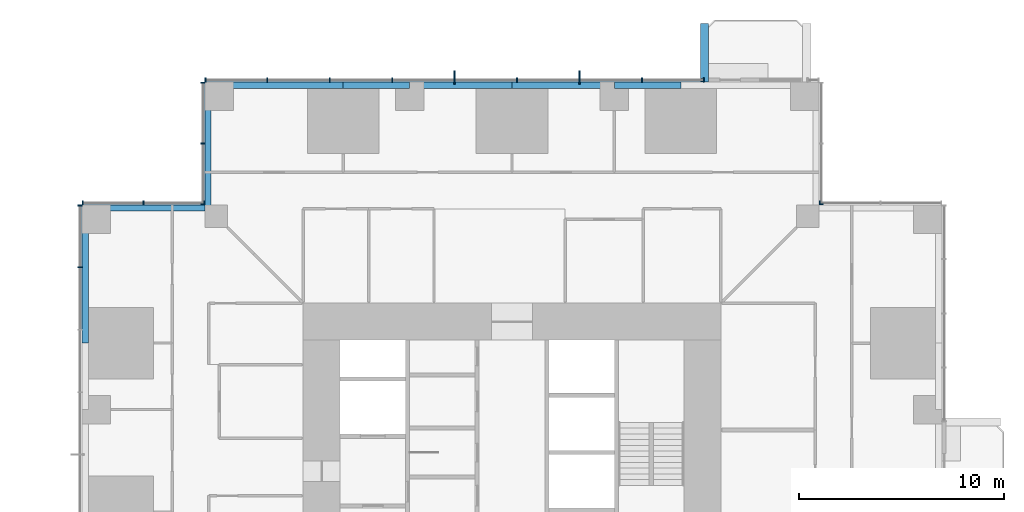
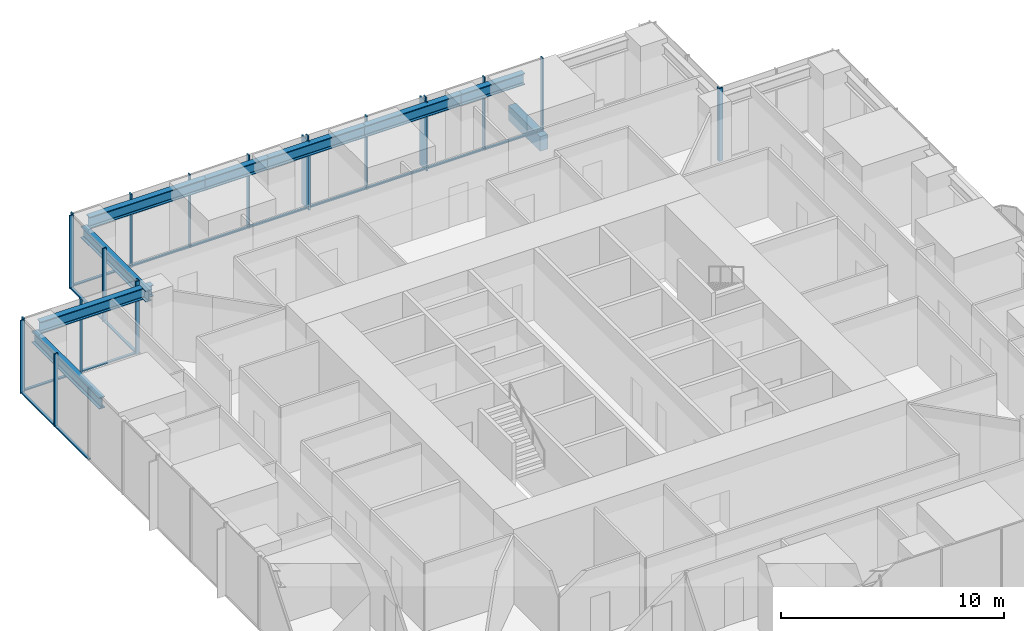
# One storey, part 5 of 18: 35 members, 9 beams, 6 elements without a shape of their own.
"""IFC4 building model written with IfcOpenShell, lengths in metres."""

from ifc_helpers import new_model, si_unit, direction, frame, origin, origin_2d, place, context, subcontext, project, spatial, rectangle, i_section, extrude, material, material_profile, profile_set, type_object, element, aggregate, save


model = new_model("IFC4")

# Units and contexts
model_context = context("Model", 3, precision=1e-05, world=origin(), true_north=direction((0.0, 1.0)))
body_context = subcontext(model_context, "Body", "Model", "MODEL_VIEW")
ifc_project = project(units=[si_unit("LENGTHUNIT", "METRE"), si_unit("AREAUNIT", "SQUARE_METRE"), si_unit("VOLUMEUNIT", "CUBIC_METRE"), si_unit("PLANEANGLEUNIT", "RADIAN"), si_unit("MASSUNIT", "GRAM", prefix="KILO")], contexts=[model_context])

# Site, building, storey
site_placement = place(None, origin())
site = spatial("IfcSite", under=ifc_project, at=site_placement, CompositionType="ELEMENT")
building_placement = place(site_placement, origin())
building = spatial("IfcBuilding", under=site, at=building_placement, Name="Svetlomir Tower", CompositionType="ELEMENT")
storey_placement = place(building_placement, frame((0.0, 0.0, 78.5)))
storey = spatial("IfcBuildingStorey", under=building, at=storey_placement, Name="L18", CompositionType="ELEMENT", Elevation=78.5)

# Beam
ifc_material_1 = material(Name="Concrete C60/75", Category="concrete")
ifc_material_profile_1 = material_profile(ifc_material_1, rectangle(XDim=0.39990234375, YDim=0.800048828125, at=origin_2d()), Name="RC 400x800")
ifc_profile_set_1 = profile_set([ifc_material_profile_1], Name="Concrete C60/75")
beam_type_1 = type_object("IfcBeamType", Name="BALCONY RIB RC 400x800", PredefinedType="BEAM", material=ifc_profile_set_1)
beam_1_placement = place(storey_placement, frame((30.39990234375, 42.0, -0.64990234375), z_axis=(0.0, 1.0, 0.0), x_axis=(-1.0, 0.0, 0.0)))
element("IfcBeam", 1, at=beam_1_placement, inside=storey, type_object=beam_type_1, Name="Balcony rib N 1 L18", PredefinedType="BEAM", context=body_context, shape_type="SweptSolid", body=[
    extrude(rectangle(XDim=0.39990234375, YDim=0.800048828125, at=origin_2d()), origin(), (0.0, 0.0, 1.0), 2.85009765625),
])

# Curtain wall, members
ifc_material_2 = material(Name="Bronze anodised aluminium curtain wall", Category="aluminium")
curtain_wall_type = type_object("IfcCurtainWallType", Name="CURTAIN WALL CW1 TOWER OFFICE", PredefinedType="NOTDEFINED", material=ifc_material_2)
curtain_wall_1_placement = place(storey_placement, origin())
curtain_wall_1 = element("IfcCurtainWall", 2, at=curtain_wall_1_placement, inside=storey, type_object=curtain_wall_type, Name="Curtain wall CW1 L18", PredefinedType="NOTDEFINED")
ifc_material_3 = material(Name="Bronze anodised aluminium", Category="aluminium")
ifc_material_profile_2 = material_profile(ifc_material_3, rectangle(XDim=0.080078125, YDim=0.64990234375, at=origin_2d()), Name="FIN 80x650")
ifc_profile_set_2 = profile_set([ifc_material_profile_2], Name="Bronze anodised aluminium 6063-T6")
member_type_1 = type_object("IfcMemberType", Name="BRONZE FIN 80x650", PredefinedType="USERDEFINED", material=ifc_profile_set_2)
member_1_placement = place(storey_placement, frame((24.300048828125, 42.22509765625, 0.0), z_axis=(0.0, 0.0, 1.0), x_axis=(1.0, 0.0, 0.0)))
member_1 = element("IfcMember", 3, at=member_1_placement, type_object=member_type_1, Name="Bronze fin L18", ObjectType="FIN", PredefinedType="USERDEFINED", context=body_context, shape_type="SweptSolid", body=[
    extrude(rectangle(XDim=0.080078125, YDim=0.64990234375, at=origin_2d()), origin(), (0.0, 0.0, 1.0), 3.75),
])
member_2_placement = place(storey_placement, frame((18.199951171875, 42.22509765625, 0.0), z_axis=(0.0, 0.0, 1.0), x_axis=(1.0, 0.0, 0.0)))
member_2 = element("IfcMember", 4, at=member_2_placement, type_object=member_type_1, Name="Bronze fin L18", ObjectType="FIN", PredefinedType="USERDEFINED", context=body_context, shape_type="SweptSolid", body=[
    extrude(rectangle(XDim=0.080078125, YDim=0.64990234375, at=origin_2d()), origin(), (0.0, 0.0, 1.0), 3.75),
])

# Curtain wall, member
curtain_wall_2_placement = place(storey_placement, origin())
curtain_wall_2 = element("IfcCurtainWall", 5, at=curtain_wall_2_placement, inside=storey, type_object=curtain_wall_type, Name="Curtain wall CW1 L18", PredefinedType="NOTDEFINED")
ifc_material_4 = material(Name="Bronze anodised aluminium", Category="aluminium")
ifc_material_profile_3 = material_profile(ifc_material_4, rectangle(XDim=0.06494140625, YDim=0.199951171875, at=origin_2d()), Name="AL 65x200")
ifc_profile_set_3 = profile_set([ifc_material_profile_3], Name="Bronze anodised aluminium 6063-T6")
member_type_2 = type_object("IfcMemberType", Name="CW1 MULLION 65x200", PredefinedType="MULLION", material=ifc_profile_set_3)
member_3_placement = place(storey_placement, frame((36.032470703125, 36.10009765625, 0.0), z_axis=(0.0, 0.0, 1.0), x_axis=(-1.0, 0.0, 0.0)))
member_3 = element("IfcMember", 6, at=member_3_placement, type_object=member_type_2, Name="CW1 mullion 3", PredefinedType="MULLION", context=body_context, shape_type="SweptSolid", body=[
    extrude(rectangle(XDim=0.06494140625, YDim=0.199951171875, at=origin_2d()), origin(), (0.0, 0.0, 1.0), 4.0),
])
aggregate(curtain_wall_2, [member_3])

curtain_wall_3_placement = place(storey_placement, origin())
curtain_wall_3 = element("IfcCurtainWall", 7, at=curtain_wall_3_placement, inside=storey, type_object=curtain_wall_type, Name="Curtain wall CW1 L18", PredefinedType="NOTDEFINED")
member_4_placement = place(storey_placement, frame((36.10009765625, 36.032470703125, 0.0), z_axis=(0.0, 0.0, 1.0), x_axis=(0.0, 1.0, 0.0)))
member_4 = element("IfcMember", 8, at=member_4_placement, type_object=member_type_2, Name="CW1 mullion 1", PredefinedType="MULLION", context=body_context, shape_type="SweptSolid", body=[
    extrude(rectangle(XDim=0.06494140625, YDim=0.199951171875, at=origin_2d()), origin(), (0.0, 0.0, 1.0), 4.0),
])
aggregate(curtain_wall_3, [member_4])

# Member
member_5_placement = place(storey_placement, frame((30.367431640625, 42.10009765625, 0.0), z_axis=(0.0, 0.0, 1.0), x_axis=(-1.0, 0.0, 0.0)))
member_5 = element("IfcMember", 9, at=member_5_placement, type_object=member_type_2, Name="CW1 mullion 1", PredefinedType="MULLION", context=body_context, shape_type="SweptSolid", body=[
    extrude(rectangle(XDim=0.06494140625, YDim=0.199951171875, at=origin_2d()), origin(), (0.0, 0.0, 1.0), 4.0),
])

member_6_placement = place(storey_placement, frame((27.35009765625, 42.10009765625, 0.0), z_axis=(0.0, 0.0, 1.0), x_axis=(-1.0, 0.0, 0.0)))
member_6 = element("IfcMember", 10, at=member_6_placement, type_object=member_type_2, Name="CW1 mullion 2", PredefinedType="MULLION", context=body_context, shape_type="SweptSolid", body=[
    extrude(rectangle(XDim=0.06494140625, YDim=0.199951171875, at=origin_2d()), origin(), (0.0, 0.0, 1.0), 4.0),
])

member_7_placement = place(storey_placement, frame((24.300048828125, 42.10009765625, 0.0), z_axis=(0.0, 0.0, 1.0), x_axis=(-1.0, 0.0, 0.0)))
member_7 = element("IfcMember", 11, at=member_7_placement, type_object=member_type_2, Name="CW1 mullion 3", PredefinedType="MULLION", context=body_context, shape_type="SweptSolid", body=[
    extrude(rectangle(XDim=0.06494140625, YDim=0.199951171875, at=origin_2d()), origin(), (0.0, 0.0, 1.0), 4.0),
])

member_8_placement = place(storey_placement, frame((21.25, 42.10009765625, 0.0), z_axis=(0.0, 0.0, 1.0), x_axis=(-1.0, 0.0, 0.0)))
member_8 = element("IfcMember", 12, at=member_8_placement, type_object=member_type_2, Name="CW1 mullion 4", PredefinedType="MULLION", context=body_context, shape_type="SweptSolid", body=[
    extrude(rectangle(XDim=0.06494140625, YDim=0.199951171875, at=origin_2d()), origin(), (0.0, 0.0, 1.0), 4.0),
])

member_9_placement = place(storey_placement, frame((18.199951171875, 42.10009765625, 0.0), z_axis=(0.0, 0.0, 1.0), x_axis=(-1.0, 0.0, 0.0)))
member_9 = element("IfcMember", 13, at=member_9_placement, type_object=member_type_2, Name="CW1 mullion 5", PredefinedType="MULLION", context=body_context, shape_type="SweptSolid", body=[
    extrude(rectangle(XDim=0.06494140625, YDim=0.199951171875, at=origin_2d()), origin(), (0.0, 0.0, 1.0), 4.0),
])

member_10_placement = place(storey_placement, frame((15.14990234375, 42.10009765625, 0.0), z_axis=(0.0, 0.0, 1.0), x_axis=(-1.0, 0.0, 0.0)))
member_10 = element("IfcMember", 14, at=member_10_placement, type_object=member_type_2, Name="CW1 mullion 6", PredefinedType="MULLION", context=body_context, shape_type="SweptSolid", body=[
    extrude(rectangle(XDim=0.06494140625, YDim=0.199951171875, at=origin_2d()), origin(), (0.0, 0.0, 1.0), 4.0),
])

member_11_placement = place(storey_placement, frame((12.10009765625, 42.10009765625, 0.0), z_axis=(0.0, 0.0, 1.0), x_axis=(-1.0, 0.0, 0.0)))
member_11 = element("IfcMember", 15, at=member_11_placement, type_object=member_type_2, Name="CW1 mullion 7", PredefinedType="MULLION", context=body_context, shape_type="SweptSolid", body=[
    extrude(rectangle(XDim=0.06494140625, YDim=0.199951171875, at=origin_2d()), origin(), (0.0, 0.0, 1.0), 4.0),
])

member_12_placement = place(storey_placement, frame((9.050048828125, 42.10009765625, 0.0), z_axis=(0.0, 0.0, 1.0), x_axis=(-1.0, 0.0, 0.0)))
member_12 = element("IfcMember", 16, at=member_12_placement, type_object=member_type_2, Name="CW1 mullion 8", PredefinedType="MULLION", context=body_context, shape_type="SweptSolid", body=[
    extrude(rectangle(XDim=0.06494140625, YDim=0.199951171875, at=origin_2d()), origin(), (0.0, 0.0, 1.0), 4.0),
])

member_13_placement = place(storey_placement, frame((6.032470703125, 42.10009765625, 0.0), z_axis=(0.0, 0.0, 1.0), x_axis=(-1.0, 0.0, 0.0)))
member_13 = element("IfcMember", 17, at=member_13_placement, type_object=member_type_2, Name="CW1 mullion 9", PredefinedType="MULLION", context=body_context, shape_type="SweptSolid", body=[
    extrude(rectangle(XDim=0.06494140625, YDim=0.199951171875, at=origin_2d()), origin(), (0.0, 0.0, 1.0), 4.0),
])

# Curtain wall, members
curtain_wall_4_placement = place(storey_placement, origin())
curtain_wall_4 = element("IfcCurtainWall", 18, at=curtain_wall_4_placement, inside=storey, type_object=curtain_wall_type, Name="Curtain wall CW1 L18", PredefinedType="NOTDEFINED")
member_14_placement = place(storey_placement, frame((5.89990234375, 41.967529296875, 0.0), z_axis=(0.0, 0.0, 1.0), x_axis=(0.0, -1.0, 0.0)))
member_14 = element("IfcMember", 19, at=member_14_placement, type_object=member_type_2, Name="CW1 mullion 1", PredefinedType="MULLION", context=body_context, shape_type="SweptSolid", body=[
    extrude(rectangle(XDim=0.06494140625, YDim=0.199951171875, at=origin_2d()), origin(), (0.0, 0.0, 1.0), 4.0),
])
member_15_placement = place(storey_placement, frame((5.89990234375, 39.0, 0.0), z_axis=(0.0, 0.0, 1.0), x_axis=(0.0, -1.0, 0.0)))
member_15 = element("IfcMember", 20, at=member_15_placement, type_object=member_type_2, Name="CW1 mullion 2", PredefinedType="MULLION", context=body_context, shape_type="SweptSolid", body=[
    extrude(rectangle(XDim=0.06494140625, YDim=0.199951171875, at=origin_2d()), origin(), (0.0, 0.0, 1.0), 4.0),
])
member_16_placement = place(storey_placement, frame((5.89990234375, 36.032470703125, 0.0), z_axis=(0.0, 0.0, 1.0), x_axis=(0.0, -1.0, 0.0)))
member_16 = element("IfcMember", 21, at=member_16_placement, type_object=member_type_2, Name="CW1 mullion 3", PredefinedType="MULLION", context=body_context, shape_type="SweptSolid", body=[
    extrude(rectangle(XDim=0.06494140625, YDim=0.199951171875, at=origin_2d()), origin(), (0.0, 0.0, 1.0), 4.0),
])

curtain_wall_5_placement = place(storey_placement, origin())
curtain_wall_5 = element("IfcCurtainWall", 22, at=curtain_wall_5_placement, inside=storey, type_object=curtain_wall_type, Name="Curtain wall CW1 L18", PredefinedType="NOTDEFINED")
member_17_placement = place(storey_placement, frame((5.967529296875, 36.10009765625, 0.0), z_axis=(0.0, 0.0, 1.0), x_axis=(-1.0, 0.0, 0.0)))
member_17 = element("IfcMember", 23, at=member_17_placement, type_object=member_type_2, Name="CW1 mullion 1", PredefinedType="MULLION", context=body_context, shape_type="SweptSolid", body=[
    extrude(rectangle(XDim=0.06494140625, YDim=0.199951171875, at=origin_2d()), origin(), (0.0, 0.0, 1.0), 4.0),
])
member_18_placement = place(storey_placement, frame((3.0, 36.10009765625, 0.0), z_axis=(0.0, 0.0, 1.0), x_axis=(-1.0, 0.0, 0.0)))
member_18 = element("IfcMember", 24, at=member_18_placement, type_object=member_type_2, Name="CW1 mullion 2", PredefinedType="MULLION", context=body_context, shape_type="SweptSolid", body=[
    extrude(rectangle(XDim=0.06494140625, YDim=0.199951171875, at=origin_2d()), origin(), (0.0, 0.0, 1.0), 4.0),
])
member_19_placement = place(storey_placement, frame((0.032470703125, 36.10009765625, 0.0), z_axis=(0.0, 0.0, 1.0), x_axis=(-1.0, 0.0, 0.0)))
member_19 = element("IfcMember", 25, at=member_19_placement, type_object=member_type_2, Name="CW1 mullion 3", PredefinedType="MULLION", context=body_context, shape_type="SweptSolid", body=[
    extrude(rectangle(XDim=0.06494140625, YDim=0.199951171875, at=origin_2d()), origin(), (0.0, 0.0, 1.0), 4.0),
])

curtain_wall_6_placement = place(storey_placement, origin())
curtain_wall_6 = element("IfcCurtainWall", 26, at=curtain_wall_6_placement, inside=storey, type_object=curtain_wall_type, Name="Curtain wall CW1 L18", PredefinedType="NOTDEFINED")
member_20_placement = place(storey_placement, frame((-0.10009765625, 35.967529296875, 0.0), z_axis=(0.0, 0.0, 1.0), x_axis=(0.0, -1.0, 0.0)))
member_20 = element("IfcMember", 27, at=member_20_placement, type_object=member_type_2, Name="CW1 mullion 1", PredefinedType="MULLION", context=body_context, shape_type="SweptSolid", body=[
    extrude(rectangle(XDim=0.06494140625, YDim=0.199951171875, at=origin_2d()), origin(), (0.0, 0.0, 1.0), 4.0),
])
member_21_placement = place(storey_placement, frame((-0.10009765625, 32.949951171875, 0.0), z_axis=(0.0, 0.0, 1.0), x_axis=(0.0, -1.0, 0.0)))
member_21 = element("IfcMember", 28, at=member_21_placement, type_object=member_type_2, Name="CW1 mullion 2", PredefinedType="MULLION", context=body_context, shape_type="SweptSolid", body=[
    extrude(rectangle(XDim=0.06494140625, YDim=0.199951171875, at=origin_2d()), origin(), (0.0, 0.0, 1.0), 4.0),
])

# Member
ifc_material_5 = material(Name="Bronze anodised aluminium", Category="aluminium")
ifc_material_profile_4 = material_profile(ifc_material_5, rectangle(XDim=0.139892578125, YDim=0.06494140625, at=origin_2d()), Name="AL 140x65")
ifc_profile_set_4 = profile_set([ifc_material_profile_4], Name="Bronze anodised aluminium 6063-T6")
member_type_3 = type_object("IfcMemberType", Name="CW1 TRANSOM 65x140", PredefinedType="USERDEFINED", material=ifc_profile_set_4)
member_22_placement = place(storey_placement, frame((30.3349609375, 42.10009765625, 0.032470703125), z_axis=(-1.0, 0.0, 0.0), x_axis=(0.0, -1.0, 0.0)))
member_22 = element("IfcMember", 29, at=member_22_placement, type_object=member_type_3, Name="CW1 transom 1.1", ObjectType="TRANSOM", PredefinedType="USERDEFINED", context=body_context, shape_type="SweptSolid", body=[
    extrude(rectangle(XDim=0.139892578125, YDim=0.06494140625, at=origin_2d()), origin(), (0.0, 0.0, 1.0), 2.952392578125),
])

member_23_placement = place(storey_placement, frame((27.3173828125, 42.10009765625, 0.032470703125), z_axis=(-1.0, 0.0, 0.0), x_axis=(0.0, -1.0, 0.0)))
member_23 = element("IfcMember", 30, at=member_23_placement, type_object=member_type_3, Name="CW1 transom 2.1", ObjectType="TRANSOM", PredefinedType="USERDEFINED", context=body_context, shape_type="SweptSolid", body=[
    extrude(rectangle(XDim=0.139892578125, YDim=0.06494140625, at=origin_2d()), origin(), (0.0, 0.0, 1.0), 2.98486328125),
])

member_24_placement = place(storey_placement, frame((24.267578125, 42.10009765625, 0.032470703125), z_axis=(-1.0, 0.0, 0.0), x_axis=(0.0, -1.0, 0.0)))
member_24 = element("IfcMember", 31, at=member_24_placement, type_object=member_type_3, Name="CW1 transom 3.1", ObjectType="TRANSOM", PredefinedType="USERDEFINED", context=body_context, shape_type="SweptSolid", body=[
    extrude(rectangle(XDim=0.139892578125, YDim=0.06494140625, at=origin_2d()), origin(), (0.0, 0.0, 1.0), 2.985107421875),
])

member_25_placement = place(storey_placement, frame((21.217529296875, 42.10009765625, 0.032470703125), z_axis=(-1.0, 0.0, 0.0), x_axis=(0.0, -1.0, 0.0)))
member_25 = element("IfcMember", 32, at=member_25_placement, type_object=member_type_3, Name="CW1 transom 4.1", ObjectType="TRANSOM", PredefinedType="USERDEFINED", context=body_context, shape_type="SweptSolid", body=[
    extrude(rectangle(XDim=0.139892578125, YDim=0.06494140625, at=origin_2d()), origin(), (0.0, 0.0, 1.0), 2.985107421875),
])

member_26_placement = place(storey_placement, frame((18.16748046875, 42.10009765625, 0.032470703125), z_axis=(-1.0, 0.0, 0.0), x_axis=(0.0, -1.0, 0.0)))
member_26 = element("IfcMember", 33, at=member_26_placement, type_object=member_type_3, Name="CW1 transom 5.1", ObjectType="TRANSOM", PredefinedType="USERDEFINED", context=body_context, shape_type="SweptSolid", body=[
    extrude(rectangle(XDim=0.139892578125, YDim=0.06494140625, at=origin_2d()), origin(), (0.0, 0.0, 1.0), 2.98486328125),
])

member_27_placement = place(storey_placement, frame((15.117431640625, 42.10009765625, 0.032470703125), z_axis=(-1.0, 0.0, 0.0), x_axis=(0.0, -1.0, 0.0)))
member_27 = element("IfcMember", 34, at=member_27_placement, type_object=member_type_3, Name="CW1 transom 6.1", ObjectType="TRANSOM", PredefinedType="USERDEFINED", context=body_context, shape_type="SweptSolid", body=[
    extrude(rectangle(XDim=0.139892578125, YDim=0.06494140625, at=origin_2d()), origin(), (0.0, 0.0, 1.0), 2.98486328125),
])

member_28_placement = place(storey_placement, frame((12.0673828125, 42.10009765625, 0.032470703125), z_axis=(-1.0, 0.0, 0.0), x_axis=(0.0, -1.0, 0.0)))
member_28 = element("IfcMember", 35, at=member_28_placement, type_object=member_type_3, Name="CW1 transom 7.1", ObjectType="TRANSOM", PredefinedType="USERDEFINED", context=body_context, shape_type="SweptSolid", body=[
    extrude(rectangle(XDim=0.139892578125, YDim=0.06494140625, at=origin_2d()), origin(), (0.0, 0.0, 1.0), 2.98486328125),
])

member_29_placement = place(storey_placement, frame((9.017578125, 42.10009765625, 0.032470703125), z_axis=(-1.0, 0.0, 0.0), x_axis=(0.0, -1.0, 0.0)))
member_29 = element("IfcMember", 36, at=member_29_placement, type_object=member_type_3, Name="CW1 transom 8.1", ObjectType="TRANSOM", PredefinedType="USERDEFINED", context=body_context, shape_type="SweptSolid", body=[
    extrude(rectangle(XDim=0.139892578125, YDim=0.06494140625, at=origin_2d()), origin(), (0.0, 0.0, 1.0), 2.95263671875),
])

aggregate(curtain_wall_1, [member_5, member_6, member_7, member_8, member_9, member_10, member_11, member_12, member_13, member_22, member_23, member_24, member_25, member_26, member_27, member_28, member_29, member_1, member_2])

member_30_placement = place(storey_placement, frame((5.89990234375, 41.93505859375, 0.032470703125), z_axis=(0.0, -1.0, 0.0), x_axis=(1.0, 0.0, 0.0)))
member_30 = element("IfcMember", 37, at=member_30_placement, type_object=member_type_3, Name="CW1 transom 1.1", ObjectType="TRANSOM", PredefinedType="USERDEFINED", context=body_context, shape_type="SweptSolid", body=[
    extrude(rectangle(XDim=0.139892578125, YDim=0.06494140625, at=origin_2d()), origin(), (0.0, 0.0, 1.0), 2.902587890625),
])

member_31_placement = place(storey_placement, frame((5.89990234375, 38.967529296875, 0.032470703125), z_axis=(0.0, -1.0, 0.0), x_axis=(1.0, 0.0, 0.0)))
member_31 = element("IfcMember", 38, at=member_31_placement, type_object=member_type_3, Name="CW1 transom 2.1", ObjectType="TRANSOM", PredefinedType="USERDEFINED", context=body_context, shape_type="SweptSolid", body=[
    extrude(rectangle(XDim=0.139892578125, YDim=0.06494140625, at=origin_2d()), origin(), (0.0, 0.0, 1.0), 2.902587890625),
])

aggregate(curtain_wall_4, [member_14, member_15, member_16, member_30, member_31])

member_32_placement = place(storey_placement, frame((5.93505859375, 36.10009765625, 0.032470703125), z_axis=(-1.0, 0.0, 0.0), x_axis=(0.0, -1.0, 0.0)))
member_32 = element("IfcMember", 39, at=member_32_placement, type_object=member_type_3, Name="CW1 transom 1.1", ObjectType="TRANSOM", PredefinedType="USERDEFINED", context=body_context, shape_type="SweptSolid", body=[
    extrude(rectangle(XDim=0.139892578125, YDim=0.06494140625, at=origin_2d()), origin(), (0.0, 0.0, 1.0), 2.902587890625),
])

member_33_placement = place(storey_placement, frame((2.967529296875, 36.10009765625, 0.032470703125), z_axis=(-1.0, 0.0, 0.0), x_axis=(0.0, -1.0, 0.0)))
member_33 = element("IfcMember", 40, at=member_33_placement, type_object=member_type_3, Name="CW1 transom 2.1", ObjectType="TRANSOM", PredefinedType="USERDEFINED", context=body_context, shape_type="SweptSolid", body=[
    extrude(rectangle(XDim=0.139892578125, YDim=0.06494140625, at=origin_2d()), origin(), (0.0, 0.0, 1.0), 2.902587890625),
])

aggregate(curtain_wall_5, [member_17, member_18, member_19, member_32, member_33])

member_34_placement = place(storey_placement, frame((-0.10009765625, 35.93505859375, 0.032470703125), z_axis=(0.0, -1.0, 0.0), x_axis=(1.0, 0.0, 0.0)))
member_34 = element("IfcMember", 41, at=member_34_placement, type_object=member_type_3, Name="CW1 transom 1.1", ObjectType="TRANSOM", PredefinedType="USERDEFINED", context=body_context, shape_type="SweptSolid", body=[
    extrude(rectangle(XDim=0.139892578125, YDim=0.06494140625, at=origin_2d()), origin(), (0.0, 0.0, 1.0), 2.95263671875),
])

member_35_placement = place(storey_placement, frame((-0.10009765625, 32.91748046875, 0.032470703125), z_axis=(0.0, -1.0, 0.0), x_axis=(1.0, 0.0, 0.0)))
member_35 = element("IfcMember", 42, at=member_35_placement, type_object=member_type_3, Name="CW1 transom 2.1", ObjectType="TRANSOM", PredefinedType="USERDEFINED", context=body_context, shape_type="SweptSolid", body=[
    extrude(rectangle(XDim=0.139892578125, YDim=0.06494140625, at=origin_2d()), origin(), (0.0, 0.0, 1.0), 2.98486328125),
])

aggregate(curtain_wall_6, [member_20, member_21, member_34, member_35])

# Beams
ifc_material_6 = material(Name="Steel S355", Category="steel")
ifc_material_profile_5 = material_profile(ifc_material_6, i_section(OverallWidth=0.304931640625, OverallDepth=0.6201171875, WebThickness=0.02099609375, FlangeThickness=0.0400390625, FilletRadius=0.027099609375, at=origin_2d()), Name="HEM 600")
ifc_profile_set_5 = profile_set([ifc_material_profile_5], Name="Steel S355")
beam_type_2 = type_object("IfcBeamType", Name="EDGE BEAM HEM 600", PredefinedType="SPANDREL", material=ifc_profile_set_5)
beam_2_placement = place(storey_placement, frame((6.699951171875, 41.847412109375, 3.43994140625), z_axis=(1.0, 0.0, 0.0), x_axis=(0.0, 1.0, 0.0)))
element("IfcBeam", 43, at=beam_2_placement, inside=storey, type_object=beam_type_2, Name="Edge beam 6/42 to 11/42 under L19", PredefinedType="SPANDREL", context=body_context, shape_type="SweptSolid", body=[
    extrude(i_section(OverallWidth=0.304931640625, OverallDepth=0.6201171875, WebThickness=0.02099609375, FlangeThickness=0.0400390625, FilletRadius=0.027099609375, at=origin_2d()), origin(), (0.0, 0.0, 1.0), 6.050048828125),
])
beam_3_placement = place(storey_placement, frame((12.75, 41.847412109375, 3.43994140625), z_axis=(1.0, 0.0, 0.0), x_axis=(0.0, 1.0, 0.0)))
element("IfcBeam", 44, at=beam_3_placement, inside=storey, type_object=beam_type_2, Name="Edge beam 11/42 to 16/42 under L19", PredefinedType="SPANDREL", context=body_context, shape_type="SweptSolid", body=[
    extrude(i_section(OverallWidth=0.304931640625, OverallDepth=0.6201171875, WebThickness=0.02099609375, FlangeThickness=0.0400390625, FilletRadius=0.027099609375, at=origin_2d()), origin(), (0.0, 0.0, 1.0), 3.25),
])
for number, where, z_axis, x_axis, name in (
    (45, (16.0, 41.847412109375, 3.43994140625), (1.0, 0.0, 0.0), (0.0, 1.0, 0.0), "Edge beam 16/42 to 21/42 under L19"),
    (46, (21.0, 41.847412109375, 3.43994140625), (1.0, 0.0, 0.0), (0.0, 1.0, 0.0), "Edge beam 21/42 to 26/42 under L19"),
):
    element("IfcBeam", number, at=place(storey_placement, frame(where, z_axis=z_axis, x_axis=x_axis)), inside=storey, type_object=beam_type_2, Name=name, PredefinedType="SPANDREL", context=body_context, shape_type="SweptSolid", body=[
        extrude(i_section(OverallWidth=0.304931640625, OverallDepth=0.6201171875, WebThickness=0.02099609375, FlangeThickness=0.0400390625, FilletRadius=0.027099609375, at=origin_2d()), origin(), (0.0, 0.0, 1.0), 5.0),
    ])
beam_4_placement = place(storey_placement, frame((26.0, 41.847412109375, 3.43994140625), z_axis=(1.0, 0.0, 0.0), x_axis=(0.0, 1.0, 0.0)))
element("IfcBeam", 47, at=beam_4_placement, inside=storey, type_object=beam_type_2, Name="Edge beam 26/42 to 31/42 under L19", PredefinedType="SPANDREL", context=body_context, shape_type="SweptSolid", body=[
    extrude(i_section(OverallWidth=0.304931640625, OverallDepth=0.6201171875, WebThickness=0.02099609375, FlangeThickness=0.0400390625, FilletRadius=0.027099609375, at=origin_2d()), origin(), (0.0, 0.0, 1.0), 3.25),
])
beam_5_placement = place(storey_placement, frame((0.152587890625, 29.25, 3.43994140625), z_axis=(0.0, 1.0, 0.0), x_axis=(-1.0, 0.0, 0.0)))
element("IfcBeam", 48, at=beam_5_placement, inside=storey, type_object=beam_type_2, Name="Edge beam 0/31 to 0/36 under L19", PredefinedType="SPANDREL", context=body_context, shape_type="SweptSolid", body=[
    extrude(i_section(OverallWidth=0.304931640625, OverallDepth=0.6201171875, WebThickness=0.02099609375, FlangeThickness=0.0400390625, FilletRadius=0.027099609375, at=origin_2d()), origin(), (0.0, 0.0, 1.0), 6.050048828125),
])
for number, where, z_axis, x_axis, name in (
    (49, (6.152587890625, 41.300048828125, 3.43994140625), (0.0, -1.0, 0.0), (1.0, 0.0, 0.0), "Edge beam 6/42 to 6/36 under L19"),
    (50, (0.699951171875, 35.847412109375, 3.43994140625), (1.0, 0.0, 0.0), (0.0, 1.0, 0.0), "Edge beam 0/36 to 6/36 under L19"),
):
    element("IfcBeam", number, at=place(storey_placement, frame(where, z_axis=z_axis, x_axis=x_axis)), inside=storey, type_object=beam_type_2, Name=name, PredefinedType="SPANDREL", context=body_context, shape_type="SweptSolid", body=[
        extrude(i_section(OverallWidth=0.304931640625, OverallDepth=0.6201171875, WebThickness=0.02099609375, FlangeThickness=0.0400390625, FilletRadius=0.027099609375, at=origin_2d()), origin(), (0.0, 0.0, 1.0), 5.85009765625),
    ])

save(model, "model.ifc")
